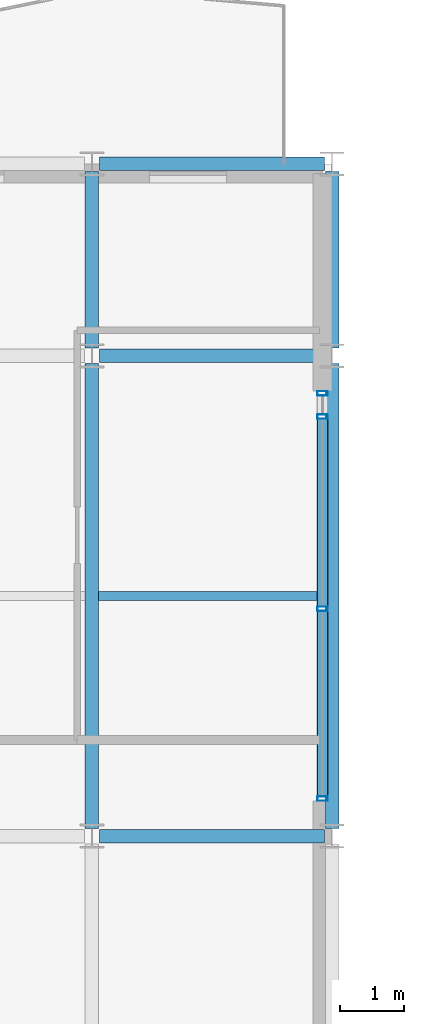
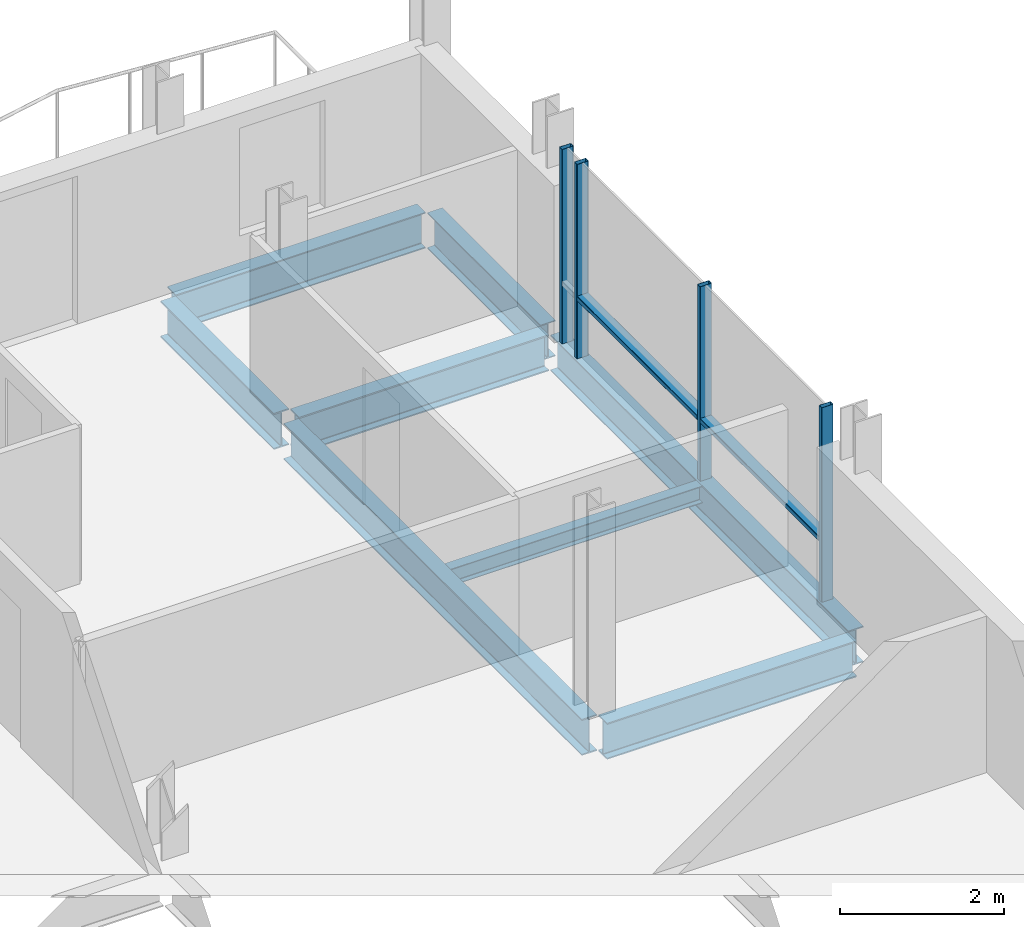
# One storey, part 9 of 30: 8 beams, 6 members, 1 element without a shape of its own.
"""IFC4 building model written with IfcOpenShell, lengths in metres."""

from ifc_helpers import new_model, si_unit, direction, frame, origin, origin_2d, place, context, subcontext, project, spatial, hollow_rectangle, i_section, extrude, material, layer, layer_set, material_profile, profile_set, type_object, element, aggregate, save


model = new_model("IFC4")

# Units and contexts
model_context = context("Model", 3, precision=1e-05, world=origin(), true_north=direction((0.0, 1.0)))
body_context = subcontext(model_context, "Body", "Model", "MODEL_VIEW")
ifc_project = project(units=[si_unit("LENGTHUNIT", "METRE"), si_unit("AREAUNIT", "SQUARE_METRE"), si_unit("VOLUMEUNIT", "CUBIC_METRE"), si_unit("PLANEANGLEUNIT", "RADIAN"), si_unit("MASSUNIT", "GRAM", prefix="KILO")], contexts=[model_context])

# Site, building, storey
site_placement = place(None, origin())
site = spatial("IfcSite", under=ifc_project, at=site_placement, CompositionType="ELEMENT")
building_placement = place(site_placement, origin())
building = spatial("IfcBuilding", under=site, at=building_placement, Name="Brevholm Reach", CompositionType="ELEMENT")
storey_placement = place(building_placement, frame((0.0, 0.0, 204.89990234375)))
storey = spatial("IfcBuildingStorey", under=building, at=storey_placement, Name="L62", CompositionType="ELEMENT", Elevation=204.89990234375)

# Beams
ifc_material_1 = material(Name="Structural Steel S355J2", Category="steel")
ifc_material_profile_1 = material_profile(ifc_material_1, i_section(OverallWidth=0.14599609375, OverallDepth=0.25146484375, WebThickness=0.006103515625, FlangeThickness=0.008544921875, FilletRadius=0.007568359375, at=origin_2d()), Name="UKB 254x146x31")
ifc_profile_set_1 = profile_set([ifc_material_profile_1], Name="Structural Steel S355J2")
beam_type_1 = type_object("IfcBeamType", Name="BM-B254", PredefinedType="BEAM", material=ifc_profile_set_1)
beam_1_placement = place(storey_placement, frame((18.10546875, 19.75, -0.335693359375), z_axis=(1.0, 0.0, 0.0), x_axis=(0.0, 1.0, 0.0)))
element("IfcBeam", 1, at=beam_1_placement, inside=storey, type_object=beam_type_1, Name="L62 Composite Secondary Floor Beam", PredefinedType="BEAM", context=body_context, shape_type="SweptSolid", body=[
    extrude(i_section(OverallWidth=0.14599609375, OverallDepth=0.25146484375, WebThickness=0.006103515625, FlangeThickness=0.008544921875, FilletRadius=0.007568359375, at=origin_2d()), origin(), (0.0, 0.0, 1.0), 3.539794921875),
])
ifc_material_2 = material(Name="Structural Steel S355J2", Category="steel")
ifc_material_profile_2 = material_profile(ifc_material_2, i_section(OverallWidth=0.209228515625, OverallDepth=0.533203125, WebThickness=0.010009765625, FlangeThickness=0.015625, FilletRadius=0.0126953125, at=origin_2d()), Name="UKB 533x210x92")
ifc_profile_set_2 = profile_set([ifc_material_profile_2], Name="Structural Steel S355J2")
beam_type_2 = type_object("IfcBeamType", Name="BM-SP533", PredefinedType="SPANDREL", material=ifc_profile_set_2)
beam_2_placement = place(storey_placement, frame((18.1201171875, 26.5, -0.4765625), z_axis=(1.0, 0.0, 0.0), x_axis=(0.0, 1.0, 0.0)))
element("IfcBeam", 2, at=beam_2_placement, inside=storey, type_object=beam_type_2, Name="L62 SP-02 Framing Beam", PredefinedType="SPANDREL", context=body_context, shape_type="SweptSolid", body=[
    extrude(i_section(OverallWidth=0.209228515625, OverallDepth=0.533203125, WebThickness=0.010009765625, FlangeThickness=0.015625, FilletRadius=0.0126953125, at=origin_2d()), origin(), (0.0, 0.0, 1.0), 3.509765625),
])
beam_3_placement = place(storey_placement, frame((21.75, 16.1201171875, -0.4765625), z_axis=(0.0, 1.0, 0.0), x_axis=(-1.0, 0.0, 0.0)))
element("IfcBeam", 3, at=beam_3_placement, inside=storey, type_object=beam_type_2, Name="L62 SP-02 Framing Beam", PredefinedType="SPANDREL", context=body_context, shape_type="SweptSolid", body=[
    extrude(i_section(OverallWidth=0.209228515625, OverallDepth=0.533203125, WebThickness=0.010009765625, FlangeThickness=0.015625, FilletRadius=0.0126953125, at=origin_2d()), origin(), (0.0, 0.0, 1.0), 7.259765625),
])
beam_4_placement = place(storey_placement, frame((21.75, 23.6201171875, -0.4765625), z_axis=(0.0, 1.0, 0.0), x_axis=(-1.0, 0.0, 0.0)))
element("IfcBeam", 4, at=beam_4_placement, inside=storey, type_object=beam_type_2, Name="L62 SP-02 Framing Beam", PredefinedType="SPANDREL", context=body_context, shape_type="SweptSolid", body=[
    extrude(i_section(OverallWidth=0.209228515625, OverallDepth=0.533203125, WebThickness=0.010009765625, FlangeThickness=0.015625, FilletRadius=0.0126953125, at=origin_2d()), origin(), (0.0, 0.0, 1.0), 2.759765625),
])
ifc_material_3 = material(Name="Structural Steel S355J2", Category="steel")
ifc_material_profile_3 = material_profile(ifc_material_3, i_section(OverallWidth=0.210693359375, OverallDepth=0.53955078125, WebThickness=0.01171875, FlangeThickness=0.018798828125, FilletRadius=0.0126953125, at=origin_2d()), Name="UKB 533x210x109")
ifc_profile_set_3 = profile_set([ifc_material_profile_3], Name="Structural Steel S355J2")
beam_type_3 = type_object("IfcBeamType", Name="BM-SP539", PredefinedType="SPANDREL", material=ifc_profile_set_3)
for number, where, z_axis, x_axis, name in (
    (5, (18.1201171875, 16.0, -0.479736328125), (1.0, 0.0, 0.0), (0.0, 1.0, 0.0), "L62 SP-01B Framing Beam"),
    (6, (18.1201171875, 23.5, -0.479736328125), (1.0, 0.0, 0.0), (0.0, 1.0, 0.0), "L62 SP-01B Framing Beam"),
):
    element("IfcBeam", number, at=place(storey_placement, frame(where, z_axis=z_axis, x_axis=x_axis)), inside=storey, type_object=beam_type_3, Name=name, PredefinedType="SPANDREL", context=body_context, shape_type="SweptSolid", body=[
        extrude(i_section(OverallWidth=0.210693359375, OverallDepth=0.53955078125, WebThickness=0.01171875, FlangeThickness=0.018798828125, FilletRadius=0.0126953125, at=origin_2d()), origin(), (0.0, 0.0, 1.0), 3.509765625),
    ])
beam_5_placement = place(storey_placement, frame((18.0, 16.1201171875, -0.479736328125), z_axis=(0.0, 1.0, 0.0), x_axis=(-1.0, 0.0, 0.0)))
element("IfcBeam", 7, at=beam_5_placement, inside=storey, type_object=beam_type_3, Name="L62 SP-01B Framing Beam", PredefinedType="SPANDREL", context=body_context, shape_type="SweptSolid", body=[
    extrude(i_section(OverallWidth=0.210693359375, OverallDepth=0.53955078125, WebThickness=0.01171875, FlangeThickness=0.018798828125, FilletRadius=0.0126953125, at=origin_2d()), origin(), (0.0, 0.0, 1.0), 7.259765625),
])
beam_6_placement = place(storey_placement, frame((18.0, 23.6201171875, -0.479736328125), z_axis=(0.0, 1.0, 0.0), x_axis=(-1.0, 0.0, 0.0)))
element("IfcBeam", 8, at=beam_6_placement, inside=storey, type_object=beam_type_3, Name="L62 SP-01B Framing Beam", PredefinedType="SPANDREL", context=body_context, shape_type="SweptSolid", body=[
    extrude(i_section(OverallWidth=0.210693359375, OverallDepth=0.53955078125, WebThickness=0.01171875, FlangeThickness=0.018798828125, FilletRadius=0.0126953125, at=origin_2d()), origin(), (0.0, 0.0, 1.0), 2.759765625),
])

# Curtain wall, members
ifc_material_4 = material(Name="Dark Anodised Aluminium 6063-T6 and Solar-Control Glass", Category="aluminium")
ifc_layer = layer(ifc_material_4, 0.1650390625)
ifc_layer_set = layer_set([ifc_layer], Name="Dark Anodised Aluminium 6063-T6 and Solar-Control Glass")
curtain_wall_type = type_object("IfcCurtainWallType", Name="CW-04", PredefinedType="NOTDEFINED", material=ifc_layer_set)
curtain_wall_placement = place(storey_placement, origin())
curtain_wall = element("IfcCurtainWall", 9, at=curtain_wall_placement, inside=storey, type_object=curtain_wall_type, Name="L62 Curtain Wall CW-04", PredefinedType="NOTDEFINED")
ifc_material_5 = material(Name="Dark Anodised Aluminium 6063-T6", Category="aluminium")
ifc_material_profile_4 = material_profile(ifc_material_5, hollow_rectangle(XDim=0.070068359375, YDim=0.1650390625, WallThickness=0.0048828125, InnerFilletRadius=0.0048828125, OuterFilletRadius=0.010009765625, at=origin_2d()), Name="RHS 165x70x5")
ifc_profile_set_4 = profile_set([ifc_material_profile_4], Name="Dark Anodised Aluminium 6063-T6")
member_type_1 = type_object("IfcMemberType", Name="CWM-165", PredefinedType="MULLION", material=ifc_profile_set_4)
member_1_placement = place(storey_placement, frame((21.60009765625, 16.5849609375, 0.0), z_axis=(0.0, 0.0, 1.0), x_axis=(0.0, 1.0, 0.0)))
member_1 = element("IfcMember", 10, at=member_1_placement, type_object=member_type_1, Name="CM-165 Mullion 1", PredefinedType="MULLION", context=body_context, shape_type="SweptSolid", body=[
    extrude(hollow_rectangle(XDim=0.070068359375, YDim=0.1650390625, WallThickness=0.0048828125, InnerFilletRadius=0.0048828125, OuterFilletRadius=0.010009765625, at=origin_2d()), origin(), (0.0, 0.0, 1.0), 2.89013671875),
])
member_2_placement = place(storey_placement, frame((21.60009765625, 19.550048828125, 0.0), z_axis=(0.0, 0.0, 1.0), x_axis=(0.0, 1.0, 0.0)))
member_2 = element("IfcMember", 11, at=member_2_placement, type_object=member_type_1, Name="CM-165 Mullion 2", PredefinedType="MULLION", context=body_context, shape_type="SweptSolid", body=[
    extrude(hollow_rectangle(XDim=0.070068359375, YDim=0.1650390625, WallThickness=0.0048828125, InnerFilletRadius=0.0048828125, OuterFilletRadius=0.010009765625, at=origin_2d()), origin(), (0.0, 0.0, 1.0), 2.89013671875),
])
member_3_placement = place(storey_placement, frame((21.60009765625, 22.550048828125, 0.0), z_axis=(0.0, 0.0, 1.0), x_axis=(0.0, 1.0, 0.0)))
member_3 = element("IfcMember", 12, at=member_3_placement, type_object=member_type_1, Name="CM-165 Mullion 3", PredefinedType="MULLION", context=body_context, shape_type="SweptSolid", body=[
    extrude(hollow_rectangle(XDim=0.070068359375, YDim=0.1650390625, WallThickness=0.0048828125, InnerFilletRadius=0.0048828125, OuterFilletRadius=0.010009765625, at=origin_2d()), origin(), (0.0, 0.0, 1.0), 2.89013671875),
])
member_4_placement = place(storey_placement, frame((21.60009765625, 22.9150390625, 0.0), z_axis=(0.0, 0.0, 1.0), x_axis=(0.0, 1.0, 0.0)))
member_4 = element("IfcMember", 13, at=member_4_placement, type_object=member_type_1, Name="CM-165 Mullion 4", PredefinedType="MULLION", context=body_context, shape_type="SweptSolid", body=[
    extrude(hollow_rectangle(XDim=0.070068359375, YDim=0.1650390625, WallThickness=0.0048828125, InnerFilletRadius=0.0048828125, OuterFilletRadius=0.010009765625, at=origin_2d()), origin(), (0.0, 0.0, 1.0), 2.89013671875),
])
ifc_material_6 = material(Name="Dark Anodised Aluminium 6063-T6", Category="aluminium")
ifc_material_profile_5 = material_profile(ifc_material_6, hollow_rectangle(XDim=0.070068359375, YDim=0.1650390625, WallThickness=0.0048828125, InnerFilletRadius=0.0048828125, OuterFilletRadius=0.010009765625, at=origin_2d()), Name="RHS 165x70x5")
ifc_profile_set_5 = profile_set([ifc_material_profile_5], Name="Dark Anodised Aluminium 6063-T6")
member_type_2 = type_object("IfcMemberType", Name="CWT-165", PredefinedType="NOTDEFINED", material=ifc_profile_set_5)
member_5_placement = place(storey_placement, frame((21.60009765625, 16.6201171875, 0.900146484375), z_axis=(0.0, 1.0, 0.0), x_axis=(0.0, 0.0, 1.0)))
member_5 = element("IfcMember", 14, at=member_5_placement, type_object=member_type_2, Name="CT-165 Transom 1.1", ObjectType="TRANSOM", PredefinedType="USERDEFINED", context=body_context, shape_type="SweptSolid", body=[
    extrude(hollow_rectangle(XDim=0.070068359375, YDim=0.1650390625, WallThickness=0.0048828125, InnerFilletRadius=0.0048828125, OuterFilletRadius=0.010009765625, at=origin_2d()), origin(), (0.0, 0.0, 1.0), 2.894775390625),
])
member_6_placement = place(storey_placement, frame((21.60009765625, 19.5849609375, 0.900146484375), z_axis=(0.0, 1.0, 0.0), x_axis=(0.0, 0.0, 1.0)))
member_6 = element("IfcMember", 15, at=member_6_placement, type_object=member_type_2, Name="CT-165 Transom 2.1", ObjectType="TRANSOM", PredefinedType="USERDEFINED", context=body_context, shape_type="SweptSolid", body=[
    extrude(hollow_rectangle(XDim=0.070068359375, YDim=0.1650390625, WallThickness=0.0048828125, InnerFilletRadius=0.0048828125, OuterFilletRadius=0.010009765625, at=origin_2d()), origin(), (0.0, 0.0, 1.0), 2.929931640625),
])
aggregate(curtain_wall, [member_1, member_2, member_3, member_4, member_5, member_6])

save(model, "model.ifc")
